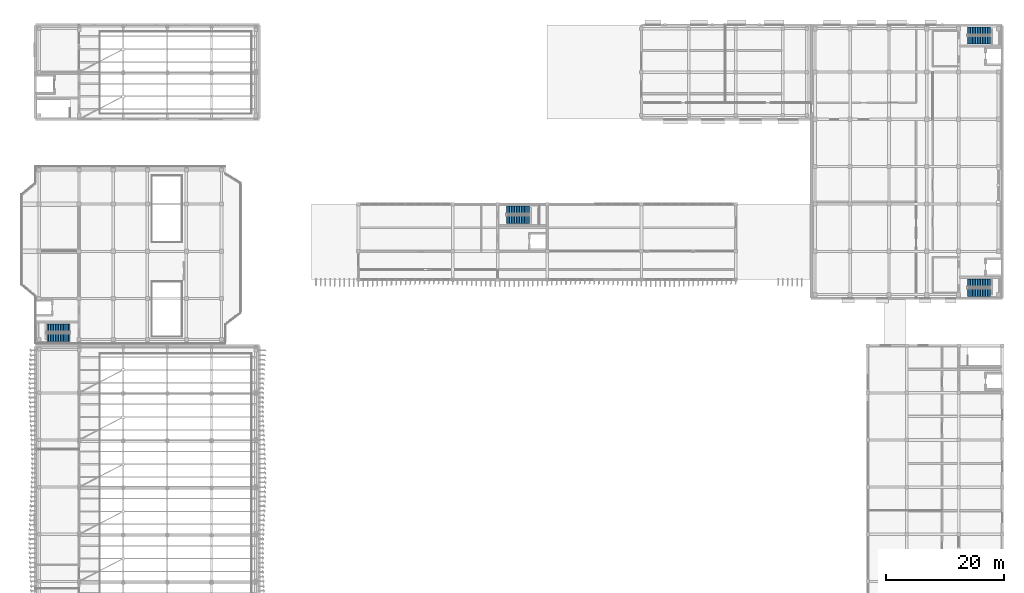
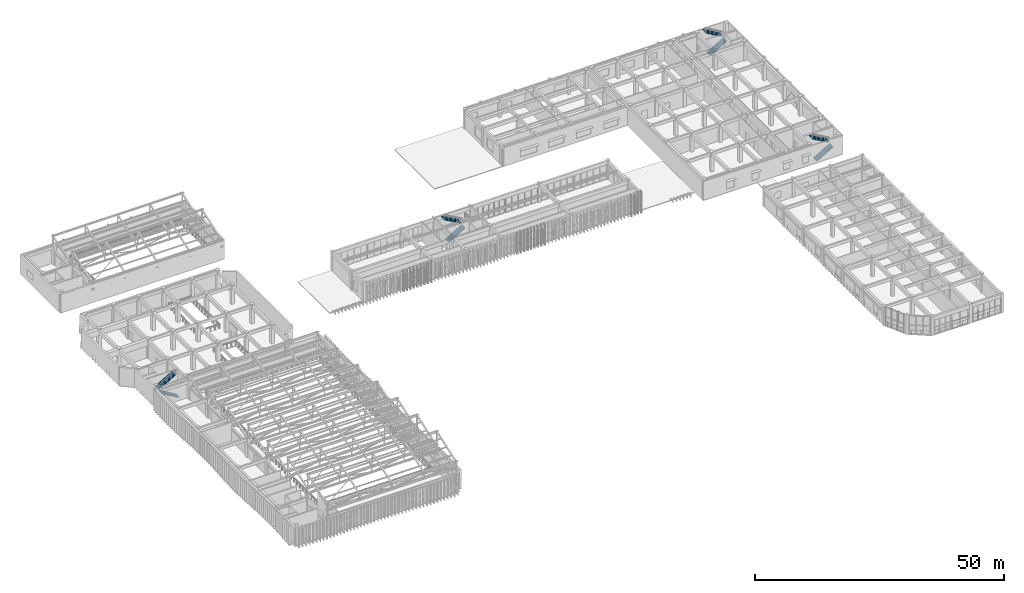
# One storey, part 59 of 76: 8 stair flights, 4 elements without a shape of their own.
"""IFC4 building model written with IfcOpenShell, lengths in metres."""

from ifc_helpers import new_model, si_unit, direction, frame, origin, place, context, subcontext, project, spatial, polyline, outline, extrude, material, type_object, element, aggregate, save


model = new_model("IFC4")

# Units and contexts
model_context = context("Model", 3, precision=1e-05, world=origin(), true_north=direction((0.0, 1.0)))
body_context = subcontext(model_context, "Body", "Model", "MODEL_VIEW")
ifc_project = project(units=[si_unit("LENGTHUNIT", "METRE"), si_unit("AREAUNIT", "SQUARE_METRE"), si_unit("VOLUMEUNIT", "CUBIC_METRE"), si_unit("PLANEANGLEUNIT", "RADIAN"), si_unit("MASSUNIT", "GRAM", prefix="KILO")], contexts=[model_context])

# Site, building, storey
site_placement = place(None, origin())
site = spatial("IfcSite", under=ifc_project, at=site_placement, CompositionType="ELEMENT")
building_placement = place(site_placement, origin())
building = spatial("IfcBuilding", under=site, at=building_placement, Name="Cinchona Park Media Centre", CompositionType="ELEMENT")
storey_placement = place(building_placement, frame((0.0, 0.0, 15.60009765625)))
storey = spatial("IfcBuildingStorey", under=building, at=storey_placement, Name="L03", CompositionType="ELEMENT", Elevation=15.60009765625)

# Stair, stair flights
ifc_material_1 = material(Name="Concrete C35/45", Category="concrete")
stair_type_1 = type_object("IfcStairType", Name="STAIR-ST1-HT48", PredefinedType="HALF_TURN_STAIR", material=ifc_material_1)
stair_1_placement = place(storey_placement, origin())
stair_1 = element("IfcStair", 1, at=stair_1_placement, inside=storey, type_object=stair_type_1, Name="Exit Stair ST1 L03", PredefinedType="HALF_TURN_STAIR")
ifc_material_2 = material(Name="Concrete C35/45", Category="concrete")
stair_flight_type_1 = type_object("IfcStairFlightType", Name="FLIGHT-ST1", PredefinedType="STRAIGHT", material=ifc_material_2)
stair_flight_1_placement = place(storey_placement, frame((166.10009765625, 72.6201171875, 0.0), z_axis=(0.0, 0.0, 1.0), x_axis=(1.0, 0.0, 0.0)))
stair_flight_1 = element("IfcStairFlight", 2, at=stair_flight_1_placement, type_object=stair_flight_type_1, Name="ST1 flight 1", NumberOfRisers=15, NumberOfTreads=14, PredefinedType="STRAIGHT", RiserHeight=0.16, TreadLength=0.28, context=body_context, shape_type="SweptSolid", body=[
    extrude(outline(polyline([(0.0, 0.0), (0.0, 0.159912109375), (0.280029296875, 0.159912109375), (0.280029296875, 0.320068359375), (0.56005859375, 0.320068359375), (0.56005859375, 0.47998046875), (0.840087890625, 0.47998046875), (0.840087890625, 0.639892578125), (1.1201171875, 0.639892578125), (1.1201171875, 0.800048828125), (1.39990234375, 0.800048828125), (1.39990234375, 0.9599609375), (1.679931640625, 0.9599609375), (1.679931640625, 1.1201171875), (1.9599609375, 1.1201171875), (1.9599609375, 1.280029296875), (2.239990234375, 1.280029296875), (2.239990234375, 1.43994140625), (2.52001953125, 1.43994140625), (2.52001953125, 1.60009765625), (2.800048828125, 1.60009765625), (2.800048828125, 1.760009765625), (3.080078125, 1.760009765625), (3.080078125, 1.919921875), (3.360107421875, 1.919921875), (3.360107421875, 2.080078125), (3.639892578125, 2.080078125), (3.639892578125, 2.239990234375), (3.919921875, 2.239990234375), (3.919921875, 2.39990234375), (3.919921875, 2.055908203125), (0.322265625, 0.0), (0.0, 0.0)])), frame((0.0, 0.68017578125, 0.0), z_axis=(0.0, -1.0, 0.0), x_axis=(1.0, 0.0, 0.0)), (0.0, 0.0, 1.0), 1.360107421875),
])
stair_flight_2_placement = place(storey_placement, frame((170.02001953125, 74.179931640625, 2.39990234375), z_axis=(0.0, 0.0, 1.0), x_axis=(-1.0, 0.0, 0.0)))
stair_flight_2 = element("IfcStairFlight", 3, at=stair_flight_2_placement, type_object=stair_flight_type_1, Name="ST1 flight 2", NumberOfRisers=15, NumberOfTreads=14, PredefinedType="STRAIGHT", RiserHeight=0.16, TreadLength=0.28, context=body_context, shape_type="SweptSolid", body=[
    extrude(outline(polyline([(0.0, 0.0), (0.0, 0.159912109375), (0.280029296875, 0.159912109375), (0.280029296875, 0.320068359375), (0.56005859375, 0.320068359375), (0.56005859375, 0.47998046875), (0.840087890625, 0.47998046875), (0.840087890625, 0.639892578125), (1.1201171875, 0.639892578125), (1.1201171875, 0.800048828125), (1.39990234375, 0.800048828125), (1.39990234375, 0.9599609375), (1.679931640625, 0.9599609375), (1.679931640625, 1.1201171875), (1.9599609375, 1.1201171875), (1.9599609375, 1.280029296875), (2.239990234375, 1.280029296875), (2.239990234375, 1.43994140625), (2.52001953125, 1.43994140625), (2.52001953125, 1.60009765625), (2.800048828125, 1.60009765625), (2.800048828125, 1.760009765625), (3.080078125, 1.760009765625), (3.080078125, 1.919921875), (3.360107421875, 1.919921875), (3.360107421875, 2.080078125), (3.639892578125, 2.080078125), (3.639892578125, 2.239990234375), (3.919921875, 2.239990234375), (3.919921875, 2.39990234375), (3.919921875, 2.055908203125), (0.322265625, 0.0), (0.0, 0.0)])), frame((0.0, 0.68017578125, 0.0), z_axis=(0.0, -1.0, 0.0), x_axis=(1.0, 0.0, 0.0)), (0.0, 0.0, 1.0), 1.360107421875),
])
aggregate(stair_1, [stair_flight_1, stair_flight_2])

ifc_material_3 = material(Name="Concrete C35/45", Category="concrete")
stair_type_2 = type_object("IfcStairType", Name="STAIR-ST2-HT48", PredefinedType="HALF_TURN_STAIR", material=ifc_material_3)
stair_2_placement = place(storey_placement, origin())
stair_2 = element("IfcStair", 4, at=stair_2_placement, inside=storey, type_object=stair_type_2, Name="Exit Stair ST2 L03", PredefinedType="HALF_TURN_STAIR")
ifc_material_4 = material(Name="Concrete C35/45", Category="concrete")
stair_flight_type_2 = type_object("IfcStairFlightType", Name="FLIGHT-ST2", PredefinedType="STRAIGHT", material=ifc_material_4)
stair_flight_3_placement = place(storey_placement, frame((166.10009765625, 115.419921875, 0.0), z_axis=(0.0, 0.0, 1.0), x_axis=(1.0, 0.0, 0.0)))
stair_flight_3 = element("IfcStairFlight", 5, at=stair_flight_3_placement, type_object=stair_flight_type_2, Name="ST2 flight 1", NumberOfRisers=15, NumberOfTreads=14, PredefinedType="STRAIGHT", RiserHeight=0.16, TreadLength=0.28, context=body_context, shape_type="SweptSolid", body=[
    extrude(outline(polyline([(0.0, 0.0), (0.0, 0.159912109375), (0.280029296875, 0.159912109375), (0.280029296875, 0.320068359375), (0.56005859375, 0.320068359375), (0.56005859375, 0.47998046875), (0.840087890625, 0.47998046875), (0.840087890625, 0.639892578125), (1.1201171875, 0.639892578125), (1.1201171875, 0.800048828125), (1.39990234375, 0.800048828125), (1.39990234375, 0.9599609375), (1.679931640625, 0.9599609375), (1.679931640625, 1.1201171875), (1.9599609375, 1.1201171875), (1.9599609375, 1.280029296875), (2.239990234375, 1.280029296875), (2.239990234375, 1.43994140625), (2.52001953125, 1.43994140625), (2.52001953125, 1.60009765625), (2.800048828125, 1.60009765625), (2.800048828125, 1.760009765625), (3.080078125, 1.760009765625), (3.080078125, 1.919921875), (3.360107421875, 1.919921875), (3.360107421875, 2.080078125), (3.639892578125, 2.080078125), (3.639892578125, 2.239990234375), (3.919921875, 2.239990234375), (3.919921875, 2.39990234375), (3.919921875, 2.055908203125), (0.322265625, 0.0), (0.0, 0.0)])), frame((0.0, 0.68017578125, 0.0), z_axis=(0.0, -1.0, 0.0), x_axis=(1.0, 0.0, 0.0)), (0.0, 0.0, 1.0), 1.360107421875),
])
stair_flight_4_placement = place(storey_placement, frame((170.02001953125, 116.97998046875, 2.39990234375), z_axis=(0.0, 0.0, 1.0), x_axis=(-1.0, 0.0, 0.0)))
stair_flight_4 = element("IfcStairFlight", 6, at=stair_flight_4_placement, type_object=stair_flight_type_2, Name="ST2 flight 2", NumberOfRisers=15, NumberOfTreads=14, PredefinedType="STRAIGHT", RiserHeight=0.16, TreadLength=0.28, context=body_context, shape_type="SweptSolid", body=[
    extrude(outline(polyline([(0.0, 0.0), (0.0, 0.159912109375), (0.280029296875, 0.159912109375), (0.280029296875, 0.320068359375), (0.56005859375, 0.320068359375), (0.56005859375, 0.47998046875), (0.840087890625, 0.47998046875), (0.840087890625, 0.639892578125), (1.1201171875, 0.639892578125), (1.1201171875, 0.800048828125), (1.39990234375, 0.800048828125), (1.39990234375, 0.9599609375), (1.679931640625, 0.9599609375), (1.679931640625, 1.1201171875), (1.9599609375, 1.1201171875), (1.9599609375, 1.280029296875), (2.239990234375, 1.280029296875), (2.239990234375, 1.43994140625), (2.52001953125, 1.43994140625), (2.52001953125, 1.60009765625), (2.800048828125, 1.60009765625), (2.800048828125, 1.760009765625), (3.080078125, 1.760009765625), (3.080078125, 1.919921875), (3.360107421875, 1.919921875), (3.360107421875, 2.080078125), (3.639892578125, 2.080078125), (3.639892578125, 2.239990234375), (3.919921875, 2.239990234375), (3.919921875, 2.39990234375), (3.919921875, 2.055908203125), (0.322265625, 0.0), (0.0, 0.0)])), frame((0.0, 0.68017578125, 0.0), z_axis=(0.0, -1.0, 0.0), x_axis=(1.0, 0.0, 0.0)), (0.0, 0.0, 1.0), 1.360107421875),
])
aggregate(stair_2, [stair_flight_3, stair_flight_4])

ifc_material_5 = material(Name="Concrete C35/45", Category="concrete")
stair_type_3 = type_object("IfcStairType", Name="STAIR-ST3-HT48", PredefinedType="HALF_TURN_STAIR", material=ifc_material_5)
stair_3_placement = place(storey_placement, origin())
stair_3 = element("IfcStair", 7, at=stair_3_placement, inside=storey, type_object=stair_type_3, Name="Exit Stair ST3 L03", PredefinedType="HALF_TURN_STAIR")
ifc_material_6 = material(Name="Concrete C35/45", Category="concrete")
stair_flight_type_3 = type_object("IfcStairFlightType", Name="FLIGHT-ST3", PredefinedType="STRAIGHT", material=ifc_material_6)
stair_flight_5_placement = place(storey_placement, frame((13.89990234375, 65.02001953125, 0.0), z_axis=(0.0, 0.0, 1.0), x_axis=(-1.0, 0.0, 0.0)))
stair_flight_5 = element("IfcStairFlight", 8, at=stair_flight_5_placement, type_object=stair_flight_type_3, Name="ST3 flight 1", NumberOfRisers=15, NumberOfTreads=14, PredefinedType="STRAIGHT", RiserHeight=0.16, TreadLength=0.28, context=body_context, shape_type="SweptSolid", body=[
    extrude(outline(polyline([(0.0, 0.0), (0.0, 0.159912109375), (0.280029296875, 0.159912109375), (0.280029296875, 0.320068359375), (0.56005859375, 0.320068359375), (0.56005859375, 0.47998046875), (0.840087890625, 0.47998046875), (0.840087890625, 0.639892578125), (1.1201171875, 0.639892578125), (1.1201171875, 0.800048828125), (1.39990234375, 0.800048828125), (1.39990234375, 0.9599609375), (1.679931640625, 0.9599609375), (1.679931640625, 1.1201171875), (1.9599609375, 1.1201171875), (1.9599609375, 1.280029296875), (2.239990234375, 1.280029296875), (2.239990234375, 1.43994140625), (2.52001953125, 1.43994140625), (2.52001953125, 1.60009765625), (2.800048828125, 1.60009765625), (2.800048828125, 1.760009765625), (3.080078125, 1.760009765625), (3.080078125, 1.919921875), (3.360107421875, 1.919921875), (3.360107421875, 2.080078125), (3.639892578125, 2.080078125), (3.639892578125, 2.239990234375), (3.919921875, 2.239990234375), (3.919921875, 2.39990234375), (3.919921875, 2.055908203125), (0.322265625, 0.0), (0.0, 0.0)])), frame((0.0, 0.68017578125, 0.0), z_axis=(0.0, -1.0, 0.0), x_axis=(1.0, 0.0, 0.0)), (0.0, 0.0, 1.0), 1.360107421875),
])
stair_flight_6_placement = place(storey_placement, frame((9.97998046875, 66.580078125, 2.39990234375), z_axis=(0.0, 0.0, 1.0), x_axis=(1.0, 0.0, 0.0)))
stair_flight_6 = element("IfcStairFlight", 9, at=stair_flight_6_placement, type_object=stair_flight_type_3, Name="ST3 flight 2", NumberOfRisers=15, NumberOfTreads=14, PredefinedType="STRAIGHT", RiserHeight=0.16, TreadLength=0.28, context=body_context, shape_type="SweptSolid", body=[
    extrude(outline(polyline([(0.0, 0.0), (0.0, 0.159912109375), (0.280029296875, 0.159912109375), (0.280029296875, 0.320068359375), (0.56005859375, 0.320068359375), (0.56005859375, 0.47998046875), (0.840087890625, 0.47998046875), (0.840087890625, 0.639892578125), (1.1201171875, 0.639892578125), (1.1201171875, 0.800048828125), (1.39990234375, 0.800048828125), (1.39990234375, 0.9599609375), (1.679931640625, 0.9599609375), (1.679931640625, 1.1201171875), (1.9599609375, 1.1201171875), (1.9599609375, 1.280029296875), (2.239990234375, 1.280029296875), (2.239990234375, 1.43994140625), (2.52001953125, 1.43994140625), (2.52001953125, 1.60009765625), (2.800048828125, 1.60009765625), (2.800048828125, 1.760009765625), (3.080078125, 1.760009765625), (3.080078125, 1.919921875), (3.360107421875, 1.919921875), (3.360107421875, 2.080078125), (3.639892578125, 2.080078125), (3.639892578125, 2.239990234375), (3.919921875, 2.239990234375), (3.919921875, 2.39990234375), (3.919921875, 2.055908203125), (0.322265625, 0.0), (0.0, 0.0)])), frame((0.0, 0.68017578125, 0.0), z_axis=(0.0, -1.0, 0.0), x_axis=(1.0, 0.0, 0.0)), (0.0, 0.0, 1.0), 1.360107421875),
])
aggregate(stair_3, [stair_flight_5, stair_flight_6])

ifc_material_7 = material(Name="Concrete C35/45", Category="concrete")
stair_type_4 = type_object("IfcStairType", Name="STAIR-ST5-HT48", PredefinedType="HALF_TURN_STAIR", material=ifc_material_7)
stair_4_placement = place(storey_placement, origin())
stair_4 = element("IfcStair", 10, at=stair_4_placement, inside=storey, type_object=stair_type_4, Name="Exit Stair ST5 L03", PredefinedType="HALF_TURN_STAIR")
ifc_material_8 = material(Name="Concrete C35/45", Category="concrete")
stair_flight_type_4 = type_object("IfcStairFlightType", Name="FLIGHT-ST5", PredefinedType="STRAIGHT", material=ifc_material_8)
stair_flight_7_placement = place(storey_placement, frame((87.89990234375, 85.02001953125, 0.0), z_axis=(0.0, 0.0, 1.0), x_axis=(1.0, 0.0, 0.0)))
stair_flight_7 = element("IfcStairFlight", 11, at=stair_flight_7_placement, type_object=stair_flight_type_4, Name="ST5 flight 1", NumberOfRisers=15, NumberOfTreads=14, PredefinedType="STRAIGHT", RiserHeight=0.16, TreadLength=0.28, context=body_context, shape_type="SweptSolid", body=[
    extrude(outline(polyline([(0.0, 0.0), (0.0, 0.159912109375), (0.280029296875, 0.159912109375), (0.280029296875, 0.320068359375), (0.56005859375, 0.320068359375), (0.56005859375, 0.47998046875), (0.840087890625, 0.47998046875), (0.840087890625, 0.639892578125), (1.1201171875, 0.639892578125), (1.1201171875, 0.800048828125), (1.39990234375, 0.800048828125), (1.39990234375, 0.9599609375), (1.679931640625, 0.9599609375), (1.679931640625, 1.1201171875), (1.9599609375, 1.1201171875), (1.9599609375, 1.280029296875), (2.239990234375, 1.280029296875), (2.239990234375, 1.43994140625), (2.52001953125, 1.43994140625), (2.52001953125, 1.60009765625), (2.800048828125, 1.60009765625), (2.800048828125, 1.760009765625), (3.080078125, 1.760009765625), (3.080078125, 1.919921875), (3.360107421875, 1.919921875), (3.360107421875, 2.080078125), (3.639892578125, 2.080078125), (3.639892578125, 2.239990234375), (3.919921875, 2.239990234375), (3.919921875, 2.39990234375), (3.919921875, 2.055908203125), (0.322265625, 0.0), (0.0, 0.0)])), frame((0.0, 0.68017578125, 0.0), z_axis=(0.0, -1.0, 0.0), x_axis=(1.0, 0.0, 0.0)), (0.0, 0.0, 1.0), 1.360107421875),
])
stair_flight_8_placement = place(storey_placement, frame((91.820068359375, 86.580078125, 2.39990234375), z_axis=(0.0, 0.0, 1.0), x_axis=(-1.0, 0.0, 0.0)))
stair_flight_8 = element("IfcStairFlight", 12, at=stair_flight_8_placement, type_object=stair_flight_type_4, Name="ST5 flight 2", NumberOfRisers=15, NumberOfTreads=14, PredefinedType="STRAIGHT", RiserHeight=0.16, TreadLength=0.28, context=body_context, shape_type="SweptSolid", body=[
    extrude(outline(polyline([(0.0, 0.0), (0.0, 0.159912109375), (0.280029296875, 0.159912109375), (0.280029296875, 0.320068359375), (0.56005859375, 0.320068359375), (0.56005859375, 0.47998046875), (0.840087890625, 0.47998046875), (0.840087890625, 0.639892578125), (1.1201171875, 0.639892578125), (1.1201171875, 0.800048828125), (1.39990234375, 0.800048828125), (1.39990234375, 0.9599609375), (1.679931640625, 0.9599609375), (1.679931640625, 1.1201171875), (1.9599609375, 1.1201171875), (1.9599609375, 1.280029296875), (2.239990234375, 1.280029296875), (2.239990234375, 1.43994140625), (2.52001953125, 1.43994140625), (2.52001953125, 1.60009765625), (2.800048828125, 1.60009765625), (2.800048828125, 1.760009765625), (3.080078125, 1.760009765625), (3.080078125, 1.919921875), (3.360107421875, 1.919921875), (3.360107421875, 2.080078125), (3.639892578125, 2.080078125), (3.639892578125, 2.239990234375), (3.919921875, 2.239990234375), (3.919921875, 2.39990234375), (3.919921875, 2.055908203125), (0.322265625, 0.0), (0.0, 0.0)])), frame((0.0, 0.68017578125, 0.0), z_axis=(0.0, -1.0, 0.0), x_axis=(1.0, 0.0, 0.0)), (0.0, 0.0, 1.0), 1.360107421875),
])
aggregate(stair_4, [stair_flight_7, stair_flight_8])

save(model, "model.ifc")
